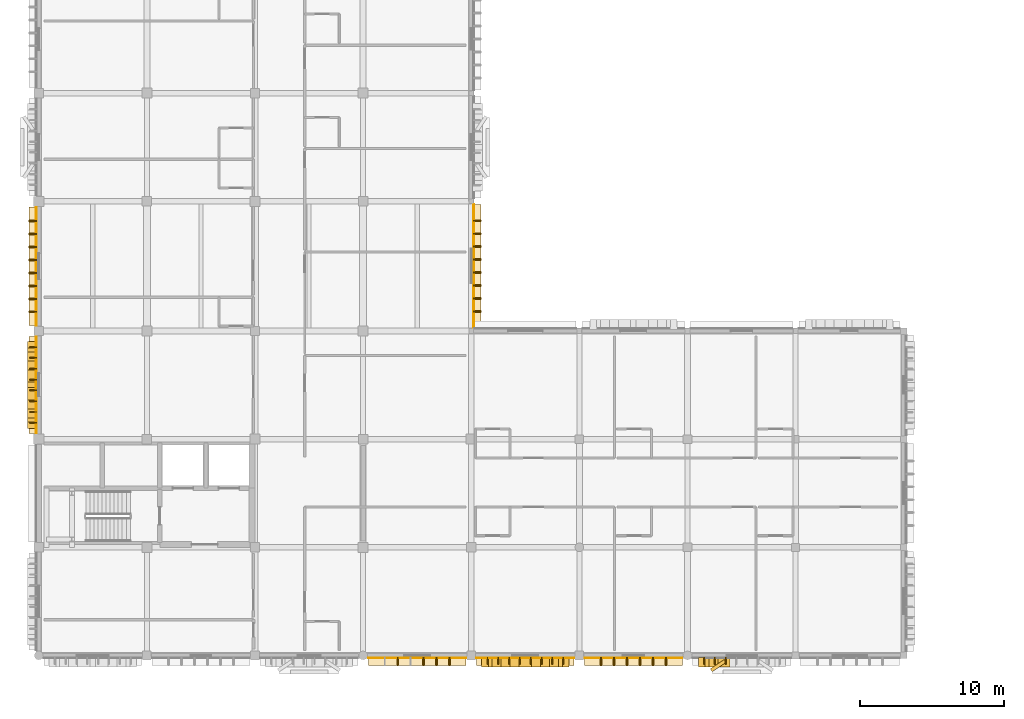
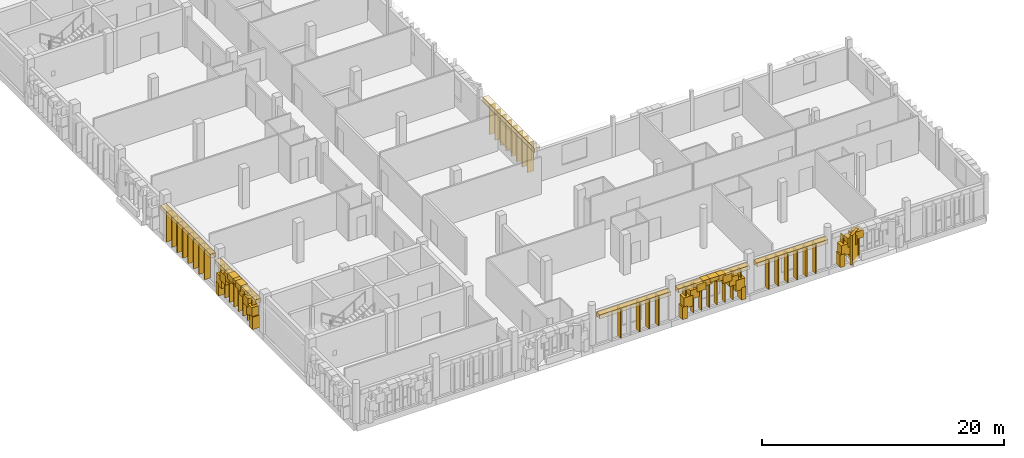
# One storey, part 31 of 48: 65 coverings, 19 shading devices.
"""IFC4 building model written with IfcOpenShell, lengths in metres."""

from ifc_helpers import new_model, si_unit, direction, frame, origin, origin_2d, place, context, subcontext, project, spatial, rectangle, extrude, material, layer, layer_set, type_object, element, save


model = new_model("IFC4")

# Units and contexts
model_context = context("Model", 3, precision=1e-05, world=origin(), true_north=direction((0.0, 1.0)))
body_context = subcontext(model_context, "Body", "Model", "MODEL_VIEW")
ifc_project = project(units=[si_unit("LENGTHUNIT", "METRE"), si_unit("AREAUNIT", "SQUARE_METRE"), si_unit("VOLUMEUNIT", "CUBIC_METRE"), si_unit("PLANEANGLEUNIT", "RADIAN"), si_unit("MASSUNIT", "GRAM", prefix="KILO")], contexts=[model_context])

# Site, building, storey
site_placement = place(None, origin())
site = spatial("IfcSite", under=ifc_project, at=site_placement, CompositionType="ELEMENT")
building_placement = place(site_placement, origin())
building = spatial("IfcBuilding", under=site, at=building_placement, Name="Dalvernix Boulevard General Hospital", CompositionType="ELEMENT")
storey_placement = place(building_placement, frame((0.0, 0.0, 17.85009765625)))
storey = spatial("IfcBuildingStorey", under=building, at=storey_placement, Name="L04", CompositionType="ELEMENT", Elevation=17.85009765625)

# Coverings
ifc_material_1 = material(Name="Pressed Catalan clay brick and dressed limestone parabolic archivolt", Category="masonry")
ifc_layer_1 = layer(ifc_material_1, 0.419921875)
ifc_layer_set_1 = layer_set([ifc_layer_1], Name="Pressed Catalan clay brick and dressed limestone parabolic archivolt (COV-ARC-01)")
covering_type_1 = type_object("IfcCoveringType", Name="COV-ARC-01", PredefinedType="CLADDING", material=ifc_layer_set_1)
for number, where, z_axis, x_axis, name in (
    (1, (-0.4599609375, 15.96240234375, 0.0), (0.0, 0.0, 1.0), (0.0, 1.0, 0.0), "L04 Catalan parabolic arch impost pier W 0-2-L"),
    (2, (-0.4599609375, 21.5625, 0.0), (0.0, 0.0, 1.0), (0.0, 1.0, 0.0), "L04 Catalan parabolic arch impost pier W 0-2-R"),
):
    element("IfcCovering", number, at=place(storey_placement, frame(where, z_axis=z_axis, x_axis=x_axis)), inside=storey, type_object=covering_type_1, Name=name, PredefinedType="CLADDING", context=body_context, shape_type="SweptSolid", body=[
        extrude(rectangle(XDim=0.4599609375, YDim=0.659912109375, at=origin_2d()), origin(), (0.0, 0.0, 1.0), 1.25),
    ])
covering_1_placement = place(storey_placement, frame((-0.4599609375, 16.273681640625, 1.06005859375), z_axis=(0.0, 0.0, 1.0), x_axis=(0.0, 1.0, 0.0)))
element("IfcCovering", 3, at=covering_1_placement, inside=storey, type_object=covering_type_1, Name="L04 Catalan parabolic archivolt voussoir W 0-2-1", PredefinedType="CLADDING", context=body_context, shape_type="SweptSolid", body=[
    extrude(rectangle(XDim=0.8623046875, YDim=0.659912109375, at=origin_2d()), origin(), (0.0, 0.0, 1.0), 1.091064453125),
])
covering_2_placement = place(storey_placement, frame((-0.4599609375, 16.895751953125, 1.77099609375), z_axis=(0.0, 0.0, 1.0), x_axis=(0.0, 1.0, 0.0)))
element("IfcCovering", 4, at=covering_2_placement, inside=storey, type_object=covering_type_1, Name="L04 Catalan parabolic archivolt voussoir W 0-2-2", PredefinedType="CLADDING", context=body_context, shape_type="SweptSolid", body=[
    extrude(rectangle(XDim=0.8623046875, YDim=0.659912109375, at=origin_2d()), origin(), (0.0, 0.0, 1.0), 0.913330078125),
])
covering_3_placement = place(storey_placement, frame((-0.4599609375, 17.51806640625, 2.30419921875), z_axis=(0.0, 0.0, 1.0), x_axis=(0.0, 1.0, 0.0)))
element("IfcCovering", 5, at=covering_3_placement, inside=storey, type_object=covering_type_1, Name="L04 Catalan parabolic archivolt voussoir W 0-2-3", PredefinedType="CLADDING", context=body_context, shape_type="SweptSolid", body=[
    extrude(rectangle(XDim=0.8623046875, YDim=0.659912109375, at=origin_2d()), origin(), (0.0, 0.0, 1.0), 0.735595703125),
])
covering_4_placement = place(storey_placement, frame((-0.4599609375, 18.140380859375, 2.65966796875), z_axis=(0.0, 0.0, 1.0), x_axis=(0.0, 1.0, 0.0)))
element("IfcCovering", 6, at=covering_4_placement, inside=storey, type_object=covering_type_1, Name="L04 Catalan parabolic archivolt voussoir W 0-2-4", PredefinedType="CLADDING", context=body_context, shape_type="SweptSolid", body=[
    extrude(rectangle(XDim=0.8623046875, YDim=0.659912109375, at=origin_2d()), origin(), (0.0, 0.0, 1.0), 0.557861328125),
])
covering_5_placement = place(storey_placement, frame((-0.4599609375, 18.762451171875, 2.837646484375), z_axis=(0.0, 0.0, 1.0), x_axis=(0.0, 1.0, 0.0)))
element("IfcCovering", 7, at=covering_5_placement, inside=storey, type_object=covering_type_1, Name="L04 Catalan parabolic archivolt voussoir W 0-2-5", PredefinedType="CLADDING", context=body_context, shape_type="SweptSolid", body=[
    extrude(rectangle(XDim=0.8623046875, YDim=0.659912109375, at=origin_2d()), origin(), (0.0, 0.0, 1.0), 0.3798828125),
])
covering_6_placement = place(storey_placement, frame((-0.4599609375, 19.384765625, 2.65966796875), z_axis=(0.0, 0.0, 1.0), x_axis=(0.0, 1.0, 0.0)))
element("IfcCovering", 8, at=covering_6_placement, inside=storey, type_object=covering_type_1, Name="L04 Catalan parabolic archivolt voussoir W 0-2-6", PredefinedType="CLADDING", context=body_context, shape_type="SweptSolid", body=[
    extrude(rectangle(XDim=0.8623046875, YDim=0.659912109375, at=origin_2d()), origin(), (0.0, 0.0, 1.0), 0.557861328125),
])
covering_7_placement = place(storey_placement, frame((-0.4599609375, 20.0068359375, 2.30419921875), z_axis=(0.0, 0.0, 1.0), x_axis=(0.0, 1.0, 0.0)))
element("IfcCovering", 9, at=covering_7_placement, inside=storey, type_object=covering_type_1, Name="L04 Catalan parabolic archivolt voussoir W 0-2-7", PredefinedType="CLADDING", context=body_context, shape_type="SweptSolid", body=[
    extrude(rectangle(XDim=0.8623046875, YDim=0.659912109375, at=origin_2d()), origin(), (0.0, 0.0, 1.0), 0.735595703125),
])
covering_8_placement = place(storey_placement, frame((-0.4599609375, 20.629150390625, 1.77099609375), z_axis=(0.0, 0.0, 1.0), x_axis=(0.0, 1.0, 0.0)))
element("IfcCovering", 10, at=covering_8_placement, inside=storey, type_object=covering_type_1, Name="L04 Catalan parabolic archivolt voussoir W 0-2-8", PredefinedType="CLADDING", context=body_context, shape_type="SweptSolid", body=[
    extrude(rectangle(XDim=0.8623046875, YDim=0.659912109375, at=origin_2d()), origin(), (0.0, 0.0, 1.0), 0.913330078125),
])
covering_9_placement = place(storey_placement, frame((-0.4599609375, 21.25146484375, 1.06005859375), z_axis=(0.0, 0.0, 1.0), x_axis=(0.0, 1.0, 0.0)))
element("IfcCovering", 11, at=covering_9_placement, inside=storey, type_object=covering_type_1, Name="L04 Catalan parabolic archivolt voussoir W 0-2-9", PredefinedType="CLADDING", context=body_context, shape_type="SweptSolid", body=[
    extrude(rectangle(XDim=0.8623046875, YDim=0.659912109375, at=origin_2d()), origin(), (0.0, 0.0, 1.0), 1.091064453125),
])
for number, where, z_axis, x_axis, name in (
    (12, (36.550048828125, -0.4599609375, 0.0), (0.0, 0.0, 1.0), (-1.0, 0.0, 0.0), "L04 Catalan parabolic arch impost pier S 4-0-L"),
    (13, (30.949951171875, -0.4599609375, 0.0), (0.0, 0.0, 1.0), (-1.0, 0.0, 0.0), "L04 Catalan parabolic arch impost pier S 4-0-R"),
):
    element("IfcCovering", number, at=place(storey_placement, frame(where, z_axis=z_axis, x_axis=x_axis)), inside=storey, type_object=covering_type_1, Name=name, PredefinedType="CLADDING", context=body_context, shape_type="SweptSolid", body=[
        extrude(rectangle(XDim=0.4599609375, YDim=0.659912109375, at=origin_2d()), origin(), (0.0, 0.0, 1.0), 1.25),
    ])
covering_10_placement = place(storey_placement, frame((36.239013671875, -0.4599609375, 1.06005859375), z_axis=(0.0, 0.0, 1.0), x_axis=(-1.0, 0.0, 0.0)))
element("IfcCovering", 14, at=covering_10_placement, inside=storey, type_object=covering_type_1, Name="L04 Catalan parabolic archivolt voussoir S 4-0-1", PredefinedType="CLADDING", context=body_context, shape_type="SweptSolid", body=[
    extrude(rectangle(XDim=0.8623046875, YDim=0.659912109375, at=origin_2d()), origin(), (0.0, 0.0, 1.0), 1.091064453125),
])
covering_11_placement = place(storey_placement, frame((35.61669921875, -0.4599609375, 1.77099609375), z_axis=(0.0, 0.0, 1.0), x_axis=(-1.0, 0.0, 0.0)))
element("IfcCovering", 15, at=covering_11_placement, inside=storey, type_object=covering_type_1, Name="L04 Catalan parabolic archivolt voussoir S 4-0-2", PredefinedType="CLADDING", context=body_context, shape_type="SweptSolid", body=[
    extrude(rectangle(XDim=0.8623046875, YDim=0.659912109375, at=origin_2d()), origin(), (0.0, 0.0, 1.0), 0.913330078125),
])
covering_12_placement = place(storey_placement, frame((34.994384765625, -0.4599609375, 2.30419921875), z_axis=(0.0, 0.0, 1.0), x_axis=(-1.0, 0.0, 0.0)))
element("IfcCovering", 16, at=covering_12_placement, inside=storey, type_object=covering_type_1, Name="L04 Catalan parabolic archivolt voussoir S 4-0-3", PredefinedType="CLADDING", context=body_context, shape_type="SweptSolid", body=[
    extrude(rectangle(XDim=0.8623046875, YDim=0.659912109375, at=origin_2d()), origin(), (0.0, 0.0, 1.0), 0.735595703125),
])
covering_13_placement = place(storey_placement, frame((34.372314453125, -0.4599609375, 2.65966796875), z_axis=(0.0, 0.0, 1.0), x_axis=(-1.0, 0.0, 0.0)))
element("IfcCovering", 17, at=covering_13_placement, inside=storey, type_object=covering_type_1, Name="L04 Catalan parabolic archivolt voussoir S 4-0-4", PredefinedType="CLADDING", context=body_context, shape_type="SweptSolid", body=[
    extrude(rectangle(XDim=0.8623046875, YDim=0.659912109375, at=origin_2d()), origin(), (0.0, 0.0, 1.0), 0.557861328125),
])
covering_14_placement = place(storey_placement, frame((33.75, -0.4599609375, 2.837646484375), z_axis=(0.0, 0.0, 1.0), x_axis=(-1.0, 0.0, 0.0)))
element("IfcCovering", 18, at=covering_14_placement, inside=storey, type_object=covering_type_1, Name="L04 Catalan parabolic archivolt voussoir S 4-0-5", PredefinedType="CLADDING", context=body_context, shape_type="SweptSolid", body=[
    extrude(rectangle(XDim=0.8623046875, YDim=0.659912109375, at=origin_2d()), origin(), (0.0, 0.0, 1.0), 0.3798828125),
])
covering_15_placement = place(storey_placement, frame((33.127685546875, -0.4599609375, 2.65966796875), z_axis=(0.0, 0.0, 1.0), x_axis=(-1.0, 0.0, 0.0)))
element("IfcCovering", 19, at=covering_15_placement, inside=storey, type_object=covering_type_1, Name="L04 Catalan parabolic archivolt voussoir S 4-0-6", PredefinedType="CLADDING", context=body_context, shape_type="SweptSolid", body=[
    extrude(rectangle(XDim=0.8623046875, YDim=0.659912109375, at=origin_2d()), origin(), (0.0, 0.0, 1.0), 0.557861328125),
])
covering_16_placement = place(storey_placement, frame((32.505615234375, -0.4599609375, 2.30419921875), z_axis=(0.0, 0.0, 1.0), x_axis=(-1.0, 0.0, 0.0)))
element("IfcCovering", 20, at=covering_16_placement, inside=storey, type_object=covering_type_1, Name="L04 Catalan parabolic archivolt voussoir S 4-0-7", PredefinedType="CLADDING", context=body_context, shape_type="SweptSolid", body=[
    extrude(rectangle(XDim=0.8623046875, YDim=0.659912109375, at=origin_2d()), origin(), (0.0, 0.0, 1.0), 0.735595703125),
])
covering_17_placement = place(storey_placement, frame((31.88330078125, -0.4599609375, 1.77099609375), z_axis=(0.0, 0.0, 1.0), x_axis=(-1.0, 0.0, 0.0)))
element("IfcCovering", 21, at=covering_17_placement, inside=storey, type_object=covering_type_1, Name="L04 Catalan parabolic archivolt voussoir S 4-0-8", PredefinedType="CLADDING", context=body_context, shape_type="SweptSolid", body=[
    extrude(rectangle(XDim=0.8623046875, YDim=0.659912109375, at=origin_2d()), origin(), (0.0, 0.0, 1.0), 0.913330078125),
])
covering_18_placement = place(storey_placement, frame((31.260986328125, -0.4599609375, 1.06005859375), z_axis=(0.0, 0.0, 1.0), x_axis=(-1.0, 0.0, 0.0)))
element("IfcCovering", 22, at=covering_18_placement, inside=storey, type_object=covering_type_1, Name="L04 Catalan parabolic archivolt voussoir S 4-0-9", PredefinedType="CLADDING", context=body_context, shape_type="SweptSolid", body=[
    extrude(rectangle(XDim=0.8623046875, YDim=0.659912109375, at=origin_2d()), origin(), (0.0, 0.0, 1.0), 1.091064453125),
])
covering_19_placement = place(storey_placement, frame((45.97509765625, -0.4599609375, 0.0), z_axis=(0.0, 0.0, 1.0), x_axis=(-1.0, 0.0, 0.0)))
element("IfcCovering", 23, at=covering_19_placement, inside=storey, type_object=covering_type_1, Name="L04 Catalan parabolic arch impost pier S 6-0-R", PredefinedType="CLADDING", context=body_context, shape_type="SweptSolid", body=[
    extrude(rectangle(XDim=0.4599609375, YDim=0.659912109375, at=origin_2d()), origin(), (0.0, 0.0, 1.0), 1.25),
])
covering_20_placement = place(storey_placement, frame((47.530517578125, -0.4599609375, 2.30419921875), z_axis=(0.0, 0.0, 1.0), x_axis=(-1.0, 0.0, 0.0)))
element("IfcCovering", 24, at=covering_20_placement, inside=storey, type_object=covering_type_1, Name="L04 Catalan parabolic archivolt voussoir S 6-0-7", PredefinedType="CLADDING", context=body_context, shape_type="SweptSolid", body=[
    extrude(rectangle(XDim=0.8623046875, YDim=0.659912109375, at=origin_2d()), origin(), (0.0, 0.0, 1.0), 0.735595703125),
])
covering_21_placement = place(storey_placement, frame((46.908203125, -0.4599609375, 1.77099609375), z_axis=(0.0, 0.0, 1.0), x_axis=(-1.0, 0.0, 0.0)))
element("IfcCovering", 25, at=covering_21_placement, inside=storey, type_object=covering_type_1, Name="L04 Catalan parabolic archivolt voussoir S 6-0-8", PredefinedType="CLADDING", context=body_context, shape_type="SweptSolid", body=[
    extrude(rectangle(XDim=0.8623046875, YDim=0.659912109375, at=origin_2d()), origin(), (0.0, 0.0, 1.0), 0.913330078125),
])
covering_22_placement = place(storey_placement, frame((46.2861328125, -0.4599609375, 1.06005859375), z_axis=(0.0, 0.0, 1.0), x_axis=(-1.0, 0.0, 0.0)))
element("IfcCovering", 26, at=covering_22_placement, inside=storey, type_object=covering_type_1, Name="L04 Catalan parabolic archivolt voussoir S 6-0-9", PredefinedType="CLADDING", context=body_context, shape_type="SweptSolid", body=[
    extrude(rectangle(XDim=0.8623046875, YDim=0.659912109375, at=origin_2d()), origin(), (0.0, 0.0, 1.0), 1.091064453125),
])
ifc_material_2 = material(Name="Polychrome glazed Catalan trencadis ceramic faceted bay spandrel")
ifc_layer_2 = layer(ifc_material_2, 0.280029296875)
ifc_layer_set_2 = layer_set([ifc_layer_2], Name="Polychrome glazed Catalan trencadis ceramic faceted bay spandrel (COV-BAY-01)")
covering_type_2 = type_object("IfcCoveringType", Name="COV-BAY-01", PredefinedType="CLADDING", material=ifc_layer_set_2)
covering_23_placement = place(storey_placement, frame((47.125, -0.7099609375, 0.080078125), z_axis=(0.0, 0.0, 1.0), x_axis=(-0.829037572555, -0.559192903471, 0.0)))
element("IfcCovering", 27, at=covering_23_placement, inside=storey, type_object=covering_type_2, Name="L04 projecting faceted Catalan bay cheek S 6-0-R", PredefinedType="CLADDING", context=body_context, shape_type="SweptSolid", body=[
    extrude(rectangle(XDim=1.14990234375, YDim=0.239990234375, at=origin_2d()), origin(), (0.0, 0.0, 1.0), 3.010009765625),
])
ifc_material_3 = material(Name="Polychrome Catalan glazed ceramic spandrel tile panel")
ifc_layer_3 = layer(ifc_material_3, 0.044921875)
ifc_layer_set_3 = layer_set([ifc_layer_3], Name="Polychrome Catalan glazed ceramic spandrel tile panel (COV-CLD-01)")
covering_type_3 = type_object("IfcCoveringType", Name="COV-CLD-01", PredefinedType="CLADDING", material=ifc_layer_set_3)
covering_24_placement = place(storey_placement, frame((-0.169921875, 18.762451171875, 2.69482421875), z_axis=(0.0, 0.0, 1.0), x_axis=(0.0, 1.0, 0.0)))
element("IfcCovering", 28, at=covering_24_placement, inside=storey, type_object=covering_type_3, Name="L04 polychrome ceramic spandrel W 0-2", PredefinedType="CLADDING", context=body_context, shape_type="SweptSolid", body=[
    extrude(rectangle(XDim=6.705078125, YDim=0.044921875, at=origin_2d()), origin(), (0.0, 0.0, 1.0), 0.449951171875),
])
covering_25_placement = place(storey_placement, frame((-0.169921875, 26.987548828125, 2.7451171875), z_axis=(0.0, 0.0, 1.0), x_axis=(0.0, 1.0, 0.0)))
element("IfcCovering", 29, at=covering_25_placement, inside=storey, type_object=covering_type_3, Name="L04 polychrome ceramic spandrel W 0-3", PredefinedType="CLADDING", context=body_context, shape_type="SweptSolid", body=[
    extrude(rectangle(XDim=8.205078125, YDim=0.044921875, at=origin_2d()), origin(), (0.0, 0.0, 1.0), 0.449951171875),
])
covering_26_placement = place(storey_placement, frame((26.25, -0.169921875, 2.69482421875), z_axis=(0.0, 0.0, 1.0), x_axis=(-1.0, 0.0, 0.0)))
element("IfcCovering", 30, at=covering_26_placement, inside=storey, type_object=covering_type_3, Name="L04 polychrome ceramic spandrel S 3-0", PredefinedType="CLADDING", context=body_context, shape_type="SweptSolid", body=[
    extrude(rectangle(XDim=6.780029296875, YDim=0.044921875, at=origin_2d()), origin(), (0.0, 0.0, 1.0), 0.449951171875),
])
covering_27_placement = place(storey_placement, frame((30.169921875, 27.0, 2.7451171875), z_axis=(0.0, 0.0, 1.0), x_axis=(0.0, -1.0, 0.0)))
element("IfcCovering", 31, at=covering_27_placement, inside=storey, type_object=covering_type_3, Name="L04 polychrome ceramic spandrel E 4-3", PredefinedType="CLADDING", context=body_context, shape_type="SweptSolid", body=[
    extrude(rectangle(XDim=8.56005859375, YDim=0.044921875, at=origin_2d()), origin(), (0.0, 0.0, 1.0), 0.449951171875),
])
for number, where, z_axis, x_axis, name in (
    (32, (33.75, -0.169921875, 2.69482421875), (0.0, 0.0, 1.0), (-1.0, 0.0, 0.0), "L04 polychrome ceramic spandrel S 4-0"),
    (33, (41.25, -0.169921875, 2.69482421875), (0.0, 0.0, 1.0), (-1.0, 0.0, 0.0), "L04 polychrome ceramic spandrel S 5-0"),
):
    element("IfcCovering", number, at=place(storey_placement, frame(where, z_axis=z_axis, x_axis=x_axis)), inside=storey, type_object=covering_type_3, Name=name, PredefinedType="CLADDING", context=body_context, shape_type="SweptSolid", body=[
        extrude(rectangle(XDim=6.780029296875, YDim=0.044921875, at=origin_2d()), origin(), (0.0, 0.0, 1.0), 0.449951171875),
    ])
ifc_material_4 = material(Name="Dressed ochre limestone classical plinth, stringcourse and corbelled cornice", Category="masonry")
ifc_layer_4 = layer(ifc_material_4, 0.449951171875)
ifc_layer_set_4 = layer_set([ifc_layer_4], Name="Dressed ochre limestone classical plinth, stringcourse and corbelled cornice (COV-CRN-01)")
covering_type_4 = type_object("IfcCoveringType", Name="COV-CRN-01", PredefinedType="CLADDING", material=ifc_layer_set_4)
covering_28_placement = place(storey_placement, frame((-0.409912109375, 18.762451171875, 2.77001953125), z_axis=(0.0, 0.0, 1.0), x_axis=(0.0, 1.0, 0.0)))
element("IfcCovering", 34, at=covering_28_placement, inside=storey, type_object=covering_type_4, Name="L04 classical corbelled cornice frieze W 0-2", PredefinedType="CLADDING", context=body_context, shape_type="SweptSolid", body=[
    extrude(rectangle(XDim=6.705078125, YDim=0.56005859375, at=origin_2d()), origin(), (0.0, 0.0, 1.0), 0.39990234375),
])
covering_29_placement = place(storey_placement, frame((-0.409912109375, 26.987548828125, 2.820068359375), z_axis=(0.0, 0.0, 1.0), x_axis=(0.0, 1.0, 0.0)))
element("IfcCovering", 35, at=covering_29_placement, inside=storey, type_object=covering_type_4, Name="L04 classical corbelled cornice frieze W 0-3", PredefinedType="CLADDING", context=body_context, shape_type="SweptSolid", body=[
    extrude(rectangle(XDim=8.205078125, YDim=0.56005859375, at=origin_2d()), origin(), (0.0, 0.0, 1.0), 0.39990234375),
])
covering_30_placement = place(storey_placement, frame((26.25, -0.409912109375, 2.77001953125), z_axis=(0.0, 0.0, 1.0), x_axis=(-1.0, 0.0, 0.0)))
element("IfcCovering", 36, at=covering_30_placement, inside=storey, type_object=covering_type_4, Name="L04 classical corbelled cornice frieze S 3-0", PredefinedType="CLADDING", context=body_context, shape_type="SweptSolid", body=[
    extrude(rectangle(XDim=6.780029296875, YDim=0.56005859375, at=origin_2d()), origin(), (0.0, 0.0, 1.0), 0.39990234375),
])
covering_31_placement = place(storey_placement, frame((30.409912109375, 27.0, 2.820068359375), z_axis=(0.0, 0.0, 1.0), x_axis=(0.0, -1.0, 0.0)))
element("IfcCovering", 37, at=covering_31_placement, inside=storey, type_object=covering_type_4, Name="L04 classical corbelled cornice frieze E 4-3", PredefinedType="CLADDING", context=body_context, shape_type="SweptSolid", body=[
    extrude(rectangle(XDim=8.56005859375, YDim=0.56005859375, at=origin_2d()), origin(), (0.0, 0.0, 1.0), 0.39990234375),
])
for number, where, z_axis, x_axis, name in (
    (38, (33.75, -0.409912109375, 2.77001953125), (0.0, 0.0, 1.0), (-1.0, 0.0, 0.0), "L04 classical corbelled cornice frieze S 4-0"),
    (39, (41.25, -0.409912109375, 2.77001953125), (0.0, 0.0, 1.0), (-1.0, 0.0, 0.0), "L04 classical corbelled cornice frieze S 5-0"),
):
    element("IfcCovering", number, at=place(storey_placement, frame(where, z_axis=z_axis, x_axis=x_axis)), inside=storey, type_object=covering_type_4, Name=name, PredefinedType="CLADDING", context=body_context, shape_type="SweptSolid", body=[
        extrude(rectangle(XDim=6.780029296875, YDim=0.56005859375, at=origin_2d()), origin(), (0.0, 0.0, 1.0), 0.39990234375),
    ])
ifc_material_5 = material(Name="Terracotta-clad iroko timber brise-soleil sun-breaker fin", Category="masonry")
ifc_layer_5 = layer(ifc_material_5, 0.10009765625)
ifc_layer_set_5 = layer_set([ifc_layer_5], Name="Terracotta-clad iroko timber brise-soleil sun-breaker fin (COV-FIN-02)")
covering_type_5 = type_object("IfcCoveringType", Name="COV-FIN-02", PredefinedType="CLADDING", material=ifc_layer_set_5)
for number, where, z_axis, x_axis, name in (
    (40, (-0.419921875, 23.83740234375, 0.119873046875), (0.0, 0.0, 1.0), (0.0, 1.0, 0.0), "L04 terracotta brise-soleil fin W 0-3-1"),
    (41, (-0.419921875, 24.737548828125, 0.119873046875), (0.0, 0.0, 1.0), (0.0, 1.0, 0.0), "L04 terracotta brise-soleil fin W 0-3-2"),
    (42, (-0.419921875, 25.637451171875, 0.119873046875), (0.0, 0.0, 1.0), (0.0, 1.0, 0.0), "L04 terracotta brise-soleil fin W 0-3-3"),
    (43, (-0.419921875, 26.53759765625, 0.119873046875), (0.0, 0.0, 1.0), (0.0, 1.0, 0.0), "L04 terracotta brise-soleil fin W 0-3-4"),
    (44, (-0.419921875, 27.4375, 0.119873046875), (0.0, 0.0, 1.0), (0.0, 1.0, 0.0), "L04 terracotta brise-soleil fin W 0-3-5"),
    (45, (-0.419921875, 28.33740234375, 0.119873046875), (0.0, 0.0, 1.0), (0.0, 1.0, 0.0), "L04 terracotta brise-soleil fin W 0-3-6"),
    (46, (-0.419921875, 29.237548828125, 0.119873046875), (0.0, 0.0, 1.0), (0.0, 1.0, 0.0), "L04 terracotta brise-soleil fin W 0-3-7"),
    (47, (-0.419921875, 30.137451171875, 0.119873046875), (0.0, 0.0, 1.0), (0.0, 1.0, 0.0), "L04 terracotta brise-soleil fin W 0-3-8"),
):
    element("IfcCovering", number, at=place(storey_placement, frame(where, z_axis=z_axis, x_axis=x_axis)), inside=storey, type_object=covering_type_5, Name=name, PredefinedType="CLADDING", context=body_context, shape_type="SweptSolid", body=[
        extrude(rectangle(XDim=0.10009765625, YDim=0.580078125, at=origin_2d()), origin(), (0.0, 0.0, 1.0), 2.97998046875),
    ])
for number, where, z_axis, x_axis, name in (
    (48, (28.5, -0.419921875, 0.1201171875), (0.0, 0.0, 1.0), (-1.0, 0.0, 0.0), "L04 terracotta brise-soleil fin S 3-0-1"),
    (49, (27.60009765625, -0.419921875, 0.1201171875), (0.0, 0.0, 1.0), (-1.0, 0.0, 0.0), "L04 terracotta brise-soleil fin S 3-0-2"),
    (50, (26.699951171875, -0.419921875, 0.1201171875), (0.0, 0.0, 1.0), (-1.0, 0.0, 0.0), "L04 terracotta brise-soleil fin S 3-0-3"),
    (51, (24.89990234375, -0.419921875, 0.1201171875), (0.0, 0.0, 1.0), (-1.0, 0.0, 0.0), "L04 terracotta brise-soleil fin S 3-0-5"),
):
    element("IfcCovering", number, at=place(storey_placement, frame(where, z_axis=z_axis, x_axis=x_axis)), inside=storey, type_object=covering_type_5, Name=name, PredefinedType="CLADDING", context=body_context, shape_type="SweptSolid", body=[
        extrude(rectangle(XDim=0.10009765625, YDim=0.580078125, at=origin_2d()), origin(), (0.0, 0.0, 1.0), 2.929931640625),
    ])
for number, where, z_axis, x_axis, name in (
    (52, (30.419921875, 30.14990234375, 0.119873046875), (0.0, 0.0, 1.0), (0.0, -1.0, 0.0), "L04 terracotta brise-soleil fin E 4-3-1"),
    (53, (30.419921875, 29.25, 0.119873046875), (0.0, 0.0, 1.0), (0.0, -1.0, 0.0), "L04 terracotta brise-soleil fin E 4-3-2"),
    (54, (30.419921875, 28.35009765625, 0.119873046875), (0.0, 0.0, 1.0), (0.0, -1.0, 0.0), "L04 terracotta brise-soleil fin E 4-3-3"),
    (55, (30.419921875, 27.449951171875, 0.119873046875), (0.0, 0.0, 1.0), (0.0, -1.0, 0.0), "L04 terracotta brise-soleil fin E 4-3-4"),
    (56, (30.419921875, 26.550048828125, 0.119873046875), (0.0, 0.0, 1.0), (0.0, -1.0, 0.0), "L04 terracotta brise-soleil fin E 4-3-5"),
    (57, (30.419921875, 25.64990234375, 0.119873046875), (0.0, 0.0, 1.0), (0.0, -1.0, 0.0), "L04 terracotta brise-soleil fin E 4-3-6"),
    (58, (30.419921875, 24.75, 0.119873046875), (0.0, 0.0, 1.0), (0.0, -1.0, 0.0), "L04 terracotta brise-soleil fin E 4-3-7"),
    (59, (30.419921875, 23.85009765625, 0.119873046875), (0.0, 0.0, 1.0), (0.0, -1.0, 0.0), "L04 terracotta brise-soleil fin E 4-3-8"),
):
    element("IfcCovering", number, at=place(storey_placement, frame(where, z_axis=z_axis, x_axis=x_axis)), inside=storey, type_object=covering_type_5, Name=name, PredefinedType="CLADDING", context=body_context, shape_type="SweptSolid", body=[
        extrude(rectangle(XDim=0.10009765625, YDim=0.580078125, at=origin_2d()), origin(), (0.0, 0.0, 1.0), 2.97998046875),
    ])
for number, where, z_axis, x_axis, name in (
    (60, (43.5, -0.419921875, 0.1201171875), (0.0, 0.0, 1.0), (-1.0, 0.0, 0.0), "L04 terracotta brise-soleil fin S 5-0-1"),
    (61, (42.60009765625, -0.419921875, 0.1201171875), (0.0, 0.0, 1.0), (-1.0, 0.0, 0.0), "L04 terracotta brise-soleil fin S 5-0-2"),
    (62, (41.699951171875, -0.419921875, 0.1201171875), (0.0, 0.0, 1.0), (-1.0, 0.0, 0.0), "L04 terracotta brise-soleil fin S 5-0-3"),
    (63, (40.800048828125, -0.419921875, 0.1201171875), (0.0, 0.0, 1.0), (-1.0, 0.0, 0.0), "L04 terracotta brise-soleil fin S 5-0-4"),
    (64, (39.89990234375, -0.419921875, 0.1201171875), (0.0, 0.0, 1.0), (-1.0, 0.0, 0.0), "L04 terracotta brise-soleil fin S 5-0-5"),
    (65, (39.0, -0.419921875, 0.1201171875), (0.0, 0.0, 1.0), (-1.0, 0.0, 0.0), "L04 terracotta brise-soleil fin S 5-0-6"),
):
    element("IfcCovering", number, at=place(storey_placement, frame(where, z_axis=z_axis, x_axis=x_axis)), inside=storey, type_object=covering_type_5, Name=name, PredefinedType="CLADDING", context=body_context, shape_type="SweptSolid", body=[
        extrude(rectangle(XDim=0.10009765625, YDim=0.580078125, at=origin_2d()), origin(), (0.0, 0.0, 1.0), 2.929931640625),
    ])

# Shading devices
ifc_material_6 = material(Name="Preservative-treated West African iroko timber", Category="wood")
shading_device_type = type_object("IfcShadingDeviceType", Name="SHD-FIN-01", PredefinedType="USERDEFINED", material=ifc_material_6)
for number, where, z_axis, x_axis, name in (
    (66, (-0.3798828125, 16.137451171875, 0.1748046875), (0.0, 0.0, 1.0), (0.0, 1.0, 0.0), "L04 iroko brise-soleil fin 1"),
    (67, (-0.3798828125, 16.887451171875, 0.1748046875), (0.0, 0.0, 1.0), (0.0, 1.0, 0.0), "L04 iroko brise-soleil fin 2"),
    (68, (-0.3798828125, 17.637451171875, 0.1748046875), (0.0, 0.0, 1.0), (0.0, 1.0, 0.0), "L04 iroko brise-soleil fin 3"),
    (69, (-0.3798828125, 18.387451171875, 0.1748046875), (0.0, 0.0, 1.0), (0.0, 1.0, 0.0), "L04 iroko brise-soleil fin 4"),
    (70, (-0.3798828125, 19.137451171875, 0.1748046875), (0.0, 0.0, 1.0), (0.0, 1.0, 0.0), "L04 iroko brise-soleil fin 5"),
    (71, (-0.3798828125, 19.887451171875, 0.1748046875), (0.0, 0.0, 1.0), (0.0, 1.0, 0.0), "L04 iroko brise-soleil fin 6"),
    (72, (-0.3798828125, 20.637451171875, 0.1748046875), (0.0, 0.0, 1.0), (0.0, 1.0, 0.0), "L04 iroko brise-soleil fin 7"),
    (73, (-0.3798828125, 21.387451171875, 0.1748046875), (0.0, 0.0, 1.0), (0.0, 1.0, 0.0), "L04 iroko brise-soleil fin 8"),
    (74, (36.375, -0.3798828125, 0.1748046875), (0.0, 0.0, 1.0), (-1.0, 0.0, 0.0), "L04 iroko brise-soleil fin 1"),
    (75, (35.625, -0.3798828125, 0.1748046875), (0.0, 0.0, 1.0), (-1.0, 0.0, 0.0), "L04 iroko brise-soleil fin 2"),
    (76, (34.875, -0.3798828125, 0.1748046875), (0.0, 0.0, 1.0), (-1.0, 0.0, 0.0), "L04 iroko brise-soleil fin 3"),
    (77, (34.125, -0.3798828125, 0.1748046875), (0.0, 0.0, 1.0), (-1.0, 0.0, 0.0), "L04 iroko brise-soleil fin 4"),
    (78, (33.375, -0.3798828125, 0.1748046875), (0.0, 0.0, 1.0), (-1.0, 0.0, 0.0), "L04 iroko brise-soleil fin 5"),
    (79, (32.625, -0.3798828125, 0.1748046875), (0.0, 0.0, 1.0), (-1.0, 0.0, 0.0), "L04 iroko brise-soleil fin 6"),
    (80, (31.875, -0.3798828125, 0.1748046875), (0.0, 0.0, 1.0), (-1.0, 0.0, 0.0), "L04 iroko brise-soleil fin 7"),
    (81, (31.125, -0.3798828125, 0.1748046875), (0.0, 0.0, 1.0), (-1.0, 0.0, 0.0), "L04 iroko brise-soleil fin 8"),
    (82, (47.64990234375, -0.3798828125, 0.1748046875), (0.0, 0.0, 1.0), (-1.0, 0.0, 0.0), "L04 iroko brise-soleil fin 6"),
    (83, (46.89990234375, -0.3798828125, 0.1748046875), (0.0, 0.0, 1.0), (-1.0, 0.0, 0.0), "L04 iroko brise-soleil fin 7"),
    (84, (46.14990234375, -0.3798828125, 0.1748046875), (0.0, 0.0, 1.0), (-1.0, 0.0, 0.0), "L04 iroko brise-soleil fin 8"),
):
    element("IfcShadingDevice", number, at=place(storey_placement, frame(where, z_axis=z_axis, x_axis=x_axis)), inside=storey, type_object=shading_device_type, Name=name, ObjectType="FIN", PredefinedType="USERDEFINED", context=body_context, shape_type="SweptSolid", body=[
        extrude(rectangle(XDim=0.06494140625, YDim=0.47998046875, at=origin_2d()), origin(), (0.0, 0.0, 1.0), 2.820068359375),
    ])

save(model, "model.ifc")
